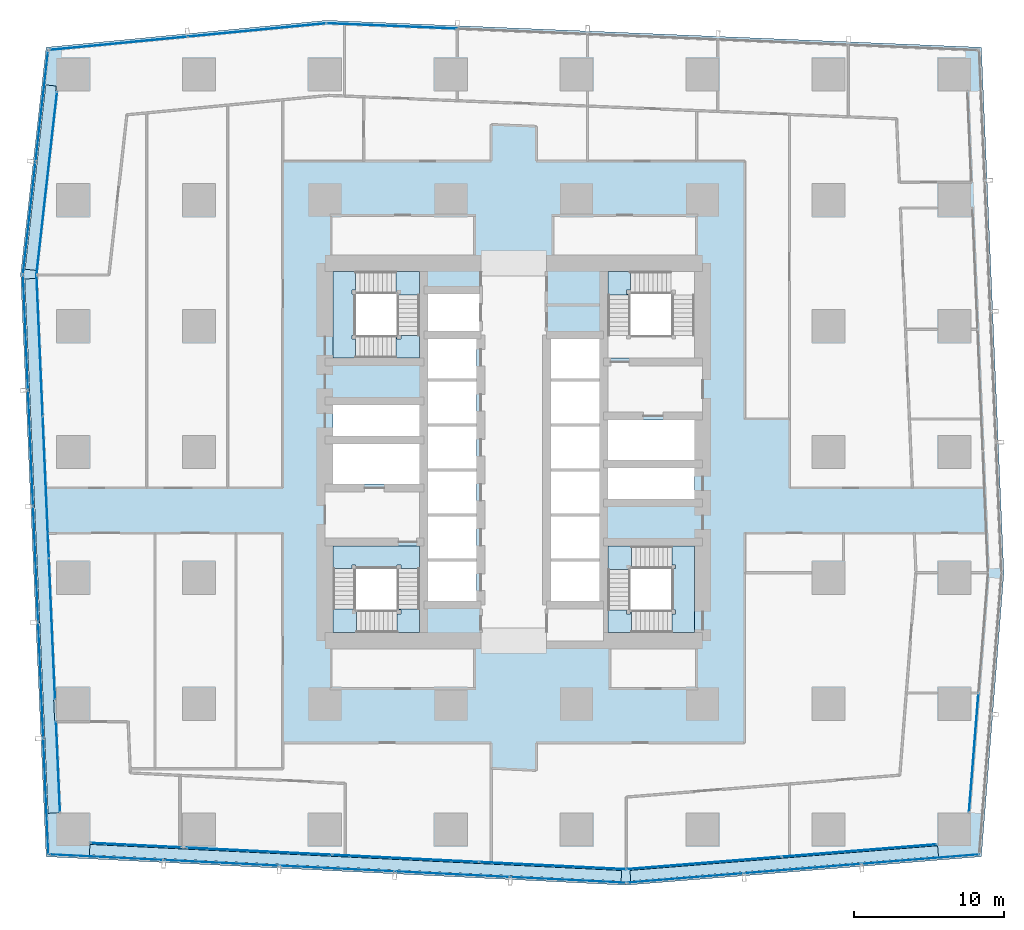
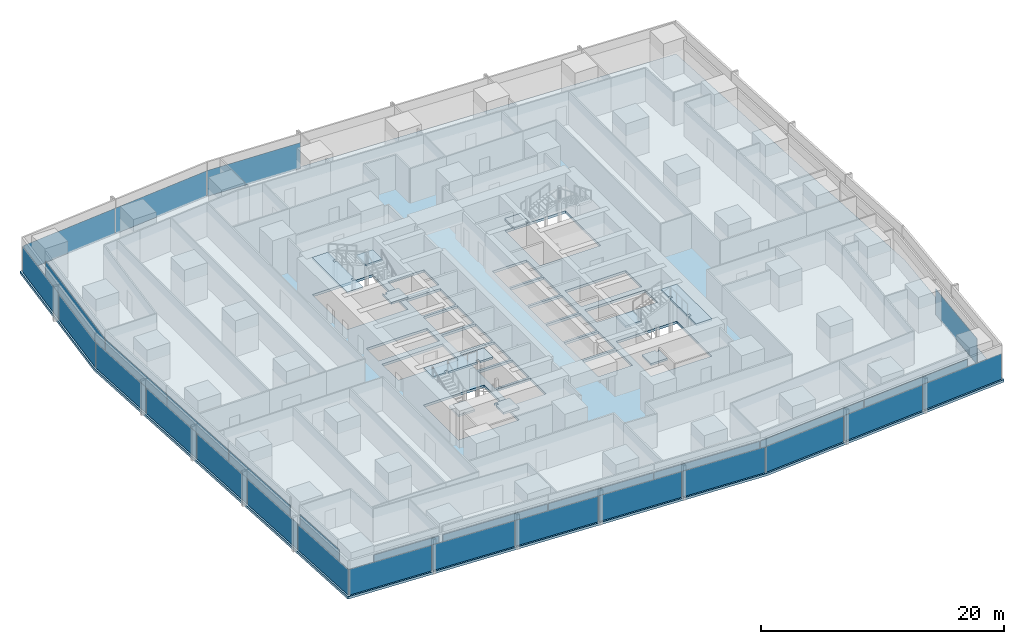
# One storey, part 30 of 44: 34 plates, 11 slabs, 17 elements without a shape of their own.
"""IFC4 building model written with IfcOpenShell, lengths in metres."""

import ifcopenshell
import ifcopenshell.guid

model = None  # the IFC model being written
_history = None  # IfcOwnerHistory: only IFC2X3 demands one
_inside = {}  # id of a spatial element -> (the spatial element, [elements in it])
_under = {}  # id of a project, library or spatial element -> (it, [spatial elements below it])
_declared = {}  # id of a project -> (the project, [libraries it declares])
_typed = {}  # id of a type object -> (the type object, [elements of that type])
_made_of = {}  # id of a material, layer set ... -> (it, [elements and type objects made of it])


def new_model(schema):
    """Start an empty IFC model of exactly this schema.

    Asked for "IFC4X3", IfcOpenShell would pick the latest addendum, in which some entities
    have other attributes; the version numbers below select the first issue.
    IFC2X3 requires an IfcOwnerHistory on every rooted entity: one is made here for all.
    """
    global model, _history
    if schema == "IFC4X3":
        model = ifcopenshell.file(schema_version=(4, 3, 0, 0))
    else:
        model = ifcopenshell.file(schema=schema)
    _inside.clear()
    _under.clear()
    _declared.clear()
    _typed.clear()
    _made_of.clear()
    _history = None
    if model.schema == "IFC2X3":
        org = make("IfcOrganization", Name="unknown")
        user = make(
            "IfcPersonAndOrganization",
            ThePerson=make("IfcPerson", FamilyName="unknown"),
            TheOrganization=org,
        )
        app = make(
            "IfcApplication",
            ApplicationDeveloper=org,
            Version="unknown",
            ApplicationFullName="unknown",
            ApplicationIdentifier="unknown",
        )
        _history = make(
            "IfcOwnerHistory",
            OwningUser=user,
            OwningApplication=app,
            ChangeAction="ADDED",
            CreationDate=0,
        )
    return model


def make(cls, **values):
    """One entity of the class cls with the attributes given. An attribute that is None is left unset."""
    return model.create_entity(
        cls, **{name: value for name, value in values.items() if value is not None}
    )


def rooted(cls, **values):
    """An entity with a GlobalId (a new one), such as an element, a storey or a relation."""
    return make(cls, GlobalId=ifcopenshell.guid.new(), OwnerHistory=_history, **values)


def si_unit(unit_type, name, prefix=None):
    """IfcSIUnit, for example si_unit("LENGTHUNIT", "METRE", prefix="MILLI")."""
    return make("IfcSIUnit", UnitType=unit_type, Prefix=prefix, Name=name)


def assignment(units):
    """IfcUnitAssignment: the units of a project."""
    return None if units is None else make("IfcUnitAssignment", Units=units)


def point(xyz):
    """IfcCartesianPoint."""
    return None if xyz is None else make("IfcCartesianPoint", Coordinates=xyz)


def direction(xyz):
    """IfcDirection."""
    return None if xyz is None else make("IfcDirection", DirectionRatios=xyz)


def frame(location, z_axis=None, x_axis=None):
    """IfcAxis2Placement3D, a coordinate frame: its origin and axes. An axis left out is left unset."""
    return make(
        "IfcAxis2Placement3D",
        Location=point(location),
        Axis=direction(z_axis),
        RefDirection=direction(x_axis),
    )


def frame_2d(location, x_axis=None):
    """IfcAxis2Placement2D, a coordinate frame in the plane: its origin and x axis."""
    return make(
        "IfcAxis2Placement2D", Location=point(location), RefDirection=direction(x_axis)
    )


def origin():
    """The frame at (0, 0, 0) with its axes left unset."""
    return frame((0.0, 0.0, 0.0))


def origin_2d():
    """The frame at (0, 0) in the plane with its x axis left unset."""
    return frame_2d((0.0, 0.0))


def place(relative_to, where):
    """IfcLocalPlacement: puts the frame where relative to a parent placement (None: the world)."""
    return make(
        "IfcLocalPlacement", PlacementRelTo=relative_to, RelativePlacement=where
    )


def context(
    kind, dimensions, precision=None, world=None, true_north=None, identifier=None
):
    """IfcGeometricRepresentationContext, for example the 3D "Model" context."""
    return make(
        "IfcGeometricRepresentationContext",
        ContextIdentifier=identifier,
        ContextType=kind,
        CoordinateSpaceDimension=dimensions,
        Precision=precision,
        WorldCoordinateSystem=world,
        TrueNorth=true_north,
    )


def subcontext(parent, identifier, kind, view, scale=None):
    """IfcGeometricRepresentationSubContext, for example "Body" below "Model"."""
    return make(
        "IfcGeometricRepresentationSubContext",
        ContextIdentifier=identifier,
        ContextType=kind,
        ParentContext=parent,
        TargetScale=scale,
        TargetView=view,
    )


def project(units=None, contexts=None):
    """IfcProject with its units and contexts."""
    return rooted(
        "IfcProject",
        Name="project",
        RepresentationContexts=contexts,
        UnitsInContext=assignment(units),
    )


def spatial(cls, under=None, at=None, **own):
    """A site, building, storey or space (cls), placed at a placement, below another one or the project."""
    s = rooted(cls, ObjectPlacement=at, **own)
    if under is not None:
        _under.setdefault(under.id(), (under, []))[1].append(s)
    return s


def polyline(points):
    """IfcPolyline through the points."""
    return make("IfcPolyline", Points=[point(p) for p in points])


def profile(cls, at=None, kind="AREA", **sizes):
    """A parametric profile (cls). Its sizes go by their IFC names, for example OverallWidth=200.0."""
    return make(cls, ProfileType=kind, Position=at, **sizes)


def rectangle(**sizes):
    """IfcRectangleProfileDef."""
    return profile("IfcRectangleProfileDef", **sizes)


def outline(outer, holes=None, kind="AREA"):
    """IfcArbitraryClosedProfileDef: a profile drawn as a closed curve; with holes, ...WithVoids."""
    if holes is None:
        return make("IfcArbitraryClosedProfileDef", ProfileType=kind, OuterCurve=outer)
    return make(
        "IfcArbitraryProfileDefWithVoids",
        ProfileType=kind,
        OuterCurve=outer,
        InnerCurves=holes,
    )


def extrude(swept, where, along, depth):
    """IfcExtrudedAreaSolid: the profile swept, set in the frame where, extruded along a direction by depth."""
    return make(
        "IfcExtrudedAreaSolid",
        SweptArea=swept,
        Position=where,
        ExtrudedDirection=direction(along),
        Depth=depth,
    )


def shape(context_of_items, identifier, shape_type, items):
    """IfcShapeRepresentation: the items that make up one representation, for example the "Body"."""
    return make(
        "IfcShapeRepresentation",
        ContextOfItems=context_of_items,
        RepresentationIdentifier=identifier,
        RepresentationType=shape_type,
        Items=items,
    )


def material(Name=None, Category=None):
    """IfcMaterial."""
    return make("IfcMaterial", Name=Name, Category=Category)


def layer(
    of_material, thickness, ventilated=None, Name=None, Category=None, Priority=None
):
    """IfcMaterialLayer: one layer of a wall or slab, of a material (None: an air gap)."""
    return make(
        "IfcMaterialLayer",
        Material=of_material,
        LayerThickness=thickness,
        IsVentilated=ventilated,
        Name=Name,
        Category=Category,
        Priority=Priority,
    )


def layer_set(layers, Name=None):
    """IfcMaterialLayerSet."""
    return make("IfcMaterialLayerSet", MaterialLayers=layers, LayerSetName=Name)


def made_of(thing, what):
    """Note that an element or type object is made of a material, layer set ...; save() writes the relation."""
    if what is not None:
        _made_of.setdefault(what.id(), (what, []))[1].append(thing)
    return thing


def type_object(cls, material=None, **own):
    """A type object (cls), such as IfcWallType, which elements share."""
    return made_of(rooted(cls, **own), material)


def element(
    cls,
    number,
    at=None,
    inside=None,
    cuts=None,
    type_object=None,
    material=None,
    context=None,
    identifier="Body",
    shape_type=None,
    held_by="IfcProductDefinitionShape",
    body=None,
    shapes=None,
    **own,
):
    """One element of the class cls, such as IfcWall. Its Tag is "e" and its number.

    at: its placement. inside: the storey or other place that contains it. cuts: it is an
    opening in that element (IfcRelVoidsElement). A single representation is given by context,
    identifier, shape_type and body (its items); several are given by shapes. held_by: the class
    of the entity that holds the representations. save() writes the other relations.
    """
    e = rooted(cls, Tag="e%d" % number, ObjectPlacement=at, **own)
    if body is not None:
        shapes = [shape(context, identifier, shape_type, body)]
    if shapes is not None:
        e.Representation = make(held_by, Representations=shapes)
    if inside is not None:
        _inside.setdefault(inside.id(), (inside, []))[1].append(e)
    if cuts is not None:
        rooted(
            "IfcRelVoidsElement", RelatingBuildingElement=cuts, RelatedOpeningElement=e
        )
    if type_object is not None:
        _typed.setdefault(type_object.id(), (type_object, []))[1].append(e)
    return made_of(e, material)


def aggregate(whole, parts):
    """IfcRelAggregates: a whole, such as a stair, and the parts it consists of."""
    return rooted("IfcRelAggregates", RelatingObject=whole, RelatedObjects=parts)


def save(model, path):
    """Write the relations noted so far, then the file.

    IfcRelAggregates (storeys below a building ...), IfcRelContainedInSpatialStructure (elements
    in a storey), IfcRelDefinesByType, IfcRelAssociatesMaterial and IfcRelDeclares: one each for
    every whole, place, type object, material and project.
    """
    for whole, parts in _under.values():
        aggregate(whole, parts)
    for where, things in _inside.values():
        rooted(
            "IfcRelContainedInSpatialStructure",
            RelatedElements=things,
            RelatingStructure=where,
        )
    for kind, things in _typed.values():
        rooted("IfcRelDefinesByType", RelatedObjects=things, RelatingType=kind)
    for what, things in _made_of.values():
        rooted("IfcRelAssociatesMaterial", RelatedObjects=things, RelatingMaterial=what)
    for by, libraries in _declared.values():
        rooted("IfcRelDeclares", RelatingContext=by, RelatedDefinitions=libraries)
    model.write(path)


model = new_model("IFC4")

# Units and contexts
model_context = context("Model", 3, precision=1e-05, world=origin(), true_north=direction((0.0, 1.0)))
body_context = subcontext(model_context, "Body", "Model", "MODEL_VIEW")
ifc_project = project(units=[si_unit("LENGTHUNIT", "METRE"), si_unit("AREAUNIT", "SQUARE_METRE"), si_unit("VOLUMEUNIT", "CUBIC_METRE"), si_unit("PLANEANGLEUNIT", "RADIAN"), si_unit("MASSUNIT", "GRAM", prefix="KILO")], contexts=[model_context])

# Site, building, storey
site_placement = place(None, origin())
site = spatial("IfcSite", under=ifc_project, at=site_placement, CompositionType="ELEMENT")
building_placement = place(site_placement, origin())
building = spatial("IfcBuilding", under=site, at=building_placement, Name="Rekha Terrace Tower", CompositionType="ELEMENT")
storey_placement = place(building_placement, frame((0.0, 0.0, 51.64990234375)))
storey = spatial("IfcBuildingStorey", under=building, at=storey_placement, Name="L12", CompositionType="ELEMENT", Elevation=51.64990234375)

# Curtain wall, plate
ifc_material_1 = material(Name="Aluminium framing", Category="aluminium")
curtain_wall_type_1 = type_object("IfcCurtainWallType", Name="CW1 double skin inner glazing", PredefinedType="USERDEFINED", material=ifc_material_1)
curtain_wall_1_placement = place(storey_placement, origin())
curtain_wall_1 = element("IfcCurtainWall", 1, at=curtain_wall_1_placement, inside=storey, type_object=curtain_wall_type_1, Name="CW1 double skin inner glazing", ObjectType="DOUBLE SKIN INNER GLAZING", PredefinedType="USERDEFINED")
ifc_material_2 = material(Name="Double-glazed low-e unit 32", Category="glass")
ifc_layer_1 = layer(ifc_material_2, 0.031982421875)
ifc_layer_set_1 = layer_set([ifc_layer_1], Name="Double-glazed low-e unit 32")
plate_type_1 = type_object("IfcPlateType", Name="CW1 jumbo vision panel, double-glazed low-e unit 32", PredefinedType="CURTAIN_PANEL", material=ifc_layer_set_1)
plate_1_placement = place(storey_placement, frame((12.60009765625, 7.36669921875, 0.0), z_axis=(0.0, 0.0, 1.0), x_axis=(0.998796239977, -0.049051717693, 0.0)))
plate_1 = element("IfcPlate", 2, at=plate_1_placement, type_object=plate_type_1, Name="CW1 panel 1.1", PredefinedType="CURTAIN_PANEL", context=body_context, shape_type="SweptSolid", body=[
    extrude(rectangle(XDim=6.028076171875, YDim=0.031982421875, at=origin_2d()), origin(), (0.0, 0.0, 1.0), 2.60009765625),
])
aggregate(curtain_wall_1, [plate_1])

# Curtain wall, plates
curtain_wall_2_placement = place(storey_placement, origin())
curtain_wall_2 = element("IfcCurtainWall", 3, at=curtain_wall_2_placement, inside=storey, type_object=curtain_wall_type_1, Name="CW1 double skin inner glazing", ObjectType="DOUBLE SKIN INNER GLAZING", PredefinedType="USERDEFINED")
plate_2_placement = place(storey_placement, frame((20.818603515625, 6.962890625, 0.0), z_axis=(0.0, 0.0, 1.0), x_axis=(0.998796239974, -0.049051717746, 0.0)))
plate_2 = element("IfcPlate", 4, at=plate_2_placement, type_object=plate_type_1, Name="CW1 panel 1.1", PredefinedType="CURTAIN_PANEL", context=body_context, shape_type="SweptSolid", body=[
    extrude(rectangle(XDim=9.701904296875, YDim=0.031982421875, at=origin_2d()), origin(), (0.0, 0.0, 1.0), 2.60009765625),
])
plate_3_placement = place(storey_placement, frame((30.590087890625, 6.483154296875, 0.0), z_axis=(0.0, 0.0, 1.0), x_axis=(0.998796239974, -0.049051717746, 0.0)))
plate_3 = element("IfcPlate", 5, at=plate_3_placement, type_object=plate_type_1, Name="CW1 panel 2.1", PredefinedType="CURTAIN_PANEL", context=body_context, shape_type="SweptSolid", body=[
    extrude(rectangle(XDim=9.734619140625, YDim=0.031982421875, at=origin_2d()), origin(), (0.0, 0.0, 1.0), 2.60009765625),
])
plate_4_placement = place(storey_placement, frame((40.39404296875, 6.001708984375, 0.0), z_axis=(0.0, 0.0, 1.0), x_axis=(0.998796239974, -0.049051717746, 0.0)))
plate_4 = element("IfcPlate", 6, at=plate_4_placement, type_object=plate_type_1, Name="CW1 panel 3.1", PredefinedType="CURTAIN_PANEL", context=body_context, shape_type="SweptSolid", body=[
    extrude(rectangle(XDim=9.76708984375, YDim=0.031982421875, at=origin_2d()), origin(), (0.0, 0.0, 1.0), 2.60009765625),
])
aggregate(curtain_wall_2, [plate_2, plate_3, plate_4])

curtain_wall_3_placement = place(storey_placement, origin())
curtain_wall_3 = element("IfcCurtainWall", 7, at=curtain_wall_3_placement, inside=storey, type_object=curtain_wall_type_1, Name="CW1 double skin inner glazing", ObjectType="DOUBLE SKIN INNER GLAZING", PredefinedType="USERDEFINED")
plate_5_placement = place(storey_placement, frame((50.488037109375, 6.18017578125, 0.0), z_axis=(0.0, 0.0, 1.0), x_axis=(0.996805111821, 0.079872204468, 0.0)))
plate_5 = element("IfcPlate", 8, at=plate_5_placement, type_object=plate_type_1, Name="CW1 panel 1.1", PredefinedType="CURTAIN_PANEL", context=body_context, shape_type="SweptSolid", body=[
    extrude(rectangle(XDim=10.336181640625, YDim=0.031982421875, at=origin_2d()), origin(), (0.0, 0.0, 1.0), 2.60009765625),
])
plate_6_placement = place(storey_placement, frame((60.85595703125, 7.0107421875, 0.0), z_axis=(0.0, 0.0, 1.0), x_axis=(0.996805111821, 0.079872204468, 0.0)))
plate_6 = element("IfcPlate", 9, at=plate_6_placement, type_object=plate_type_1, Name="CW1 panel 2.1", PredefinedType="CURTAIN_PANEL", context=body_context, shape_type="SweptSolid", body=[
    extrude(rectangle(XDim=10.336181640625, YDim=0.031982421875, at=origin_2d()), origin(), (0.0, 0.0, 1.0), 2.60009765625),
])
aggregate(curtain_wall_3, [plate_5, plate_6])

# Curtain wall, plate
curtain_wall_4_placement = place(storey_placement, origin())
curtain_wall_4 = element("IfcCurtainWall", 10, at=curtain_wall_4_placement, inside=storey, type_object=curtain_wall_type_1, Name="CW1 double skin inner glazing", ObjectType="DOUBLE SKIN INNER GLAZING", PredefinedType="USERDEFINED")
plate_7_placement = place(storey_placement, frame((68.487548828125, 13.541748046875, 0.0), z_axis=(0.0, 0.0, 1.0), x_axis=(0.079116301, 0.996865392576, 0.0)))
plate_7 = element("IfcPlate", 11, at=plate_7_placement, type_object=plate_type_1, Name="CW1 panel 1.1", PredefinedType="CURTAIN_PANEL", context=body_context, shape_type="SweptSolid", body=[
    extrude(rectangle(XDim=7.923583984375, YDim=0.031982421875, at=origin_2d()), origin(), (0.0, 0.0, 1.0), 2.60009765625),
])
aggregate(curtain_wall_4, [plate_7])

curtain_wall_5_placement = place(storey_placement, origin())
curtain_wall_5 = element("IfcCurtainWall", 12, at=curtain_wall_5_placement, inside=storey, type_object=curtain_wall_type_1, Name="CW1 double skin inner glazing", ObjectType="DOUBLE SKIN INNER GLAZING", PredefinedType="USERDEFINED")
plate_8_placement = place(storey_placement, frame((6.646728515625, 51.52734375, 0.0), z_axis=(0.0, 0.0, 1.0), x_axis=(-0.111729870748, -0.993738615524, 0.0)))
plate_8 = element("IfcPlate", 13, at=plate_8_placement, type_object=plate_type_1, Name="CW1 panel 1.1", PredefinedType="CURTAIN_PANEL", context=body_context, shape_type="SweptSolid", body=[
    extrude(rectangle(XDim=12.243896484375, YDim=0.031982421875, at=origin_2d()), origin(), (0.0, 0.0, 1.0), 2.60009765625),
])
aggregate(curtain_wall_5, [plate_8])

# Curtain wall, plates
curtain_wall_6_placement = place(storey_placement, origin())
curtain_wall_6 = element("IfcCurtainWall", 14, at=curtain_wall_6_placement, inside=storey, type_object=curtain_wall_type_1, Name="CW1 double skin inner glazing", ObjectType="DOUBLE SKIN INNER GLAZING", PredefinedType="USERDEFINED")
plate_9_placement = place(storey_placement, frame((6.170166015625, 40.69482421875, 0.0), z_axis=(0.0, 0.0, 1.0), x_axis=(0.043682543337, -0.999045462133, 0.0)))
plate_9 = element("IfcPlate", 15, at=plate_9_placement, type_object=plate_type_1, Name="CW1 panel 1.1", PredefinedType="CURTAIN_PANEL", context=body_context, shape_type="SweptSolid", body=[
    extrude(rectangle(XDim=9.376953125, YDim=0.031982421875, at=origin_2d()), origin(), (0.0, 0.0, 1.0), 2.60009765625),
])
plate_10_placement = place(storey_placement, frame((6.58349609375, 31.245361328125, 0.0), z_axis=(0.0, 0.0, 1.0), x_axis=(0.043682543337, -0.999045462133, 0.0)))
plate_10 = element("IfcPlate", 16, at=plate_10_placement, type_object=plate_type_1, Name="CW1 panel 2.1", PredefinedType="CURTAIN_PANEL", context=body_context, shape_type="SweptSolid", body=[
    extrude(rectangle(XDim=9.40966796875, YDim=0.031982421875, at=origin_2d()), origin(), (0.0, 0.0, 1.0), 2.60009765625),
])
plate_11_placement = place(storey_placement, frame((6.99658203125, 21.796142578125, 0.0), z_axis=(0.0, 0.0, 1.0), x_axis=(0.043682543337, -0.999045462133, 0.0)))
plate_11 = element("IfcPlate", 17, at=plate_11_placement, type_object=plate_type_1, Name="CW1 panel 3.1", PredefinedType="CURTAIN_PANEL", context=body_context, shape_type="SweptSolid", body=[
    extrude(rectangle(XDim=9.376953125, YDim=0.031982421875, at=origin_2d()), origin(), (0.0, 0.0, 1.0), 2.60009765625),
])
aggregate(curtain_wall_6, [plate_9, plate_10, plate_11])

# Curtain wall, plate
curtain_wall_7_placement = place(storey_placement, origin())
curtain_wall_7 = element("IfcCurtainWall", 18, at=curtain_wall_7_placement, inside=storey, type_object=curtain_wall_type_1, Name="CW1 double skin inner glazing", ObjectType="DOUBLE SKIN INNER GLAZING", PredefinedType="USERDEFINED")
plate_12_placement = place(storey_placement, frame((7.398681640625, 12.60009765625, 0.0), z_axis=(0.0, 0.0, 1.0), x_axis=(0.043682543424, -0.999045462129, 0.0)))
plate_12 = element("IfcPlate", 19, at=plate_12_placement, type_object=plate_type_1, Name="CW1 panel 1.1", PredefinedType="CURTAIN_PANEL", context=body_context, shape_type="SweptSolid", body=[
    extrude(rectangle(XDim=6.027587890625, YDim=0.031982421875, at=origin_2d()), origin(), (0.0, 0.0, 1.0), 2.60009765625),
])
aggregate(curtain_wall_7, [plate_12])

# Curtain wall, plates
curtain_wall_type_2 = type_object("IfcCurtainWallType", Name="CW2 double skin outer glazing", PredefinedType="USERDEFINED", material=ifc_material_1)
curtain_wall_8_placement = place(storey_placement, origin())
curtain_wall_8 = element("IfcCurtainWall", 20, at=curtain_wall_8_placement, inside=storey, type_object=curtain_wall_type_2, Name="CW2 double skin outer glazing", ObjectType="DOUBLE SKIN OUTER GLAZING", PredefinedType="USERDEFINED")
ifc_material_3 = material(Name="Toughened single glazing 12", Category="glass")
ifc_layer_2 = layer(ifc_material_3, 0.011962890625)
ifc_layer_set_2 = layer_set([ifc_layer_2], Name="Toughened single glazing 12")
plate_type_2 = type_object("IfcPlateType", Name="CW2 jumbo vision panel, toughened single glazing 12", PredefinedType="CURTAIN_PANEL", material=ifc_layer_set_2)
plate_13_placement = place(storey_placement, frame((10.626708984375, 6.5625, 0.0), z_axis=(0.0, 0.0, 1.0), x_axis=(0.998796239974, -0.049051717746, 0.0)))
plate_13 = element("IfcPlate", 21, at=plate_13_placement, type_object=plate_type_2, Name="CW2 panel 1.1", PredefinedType="CURTAIN_PANEL", context=body_context, shape_type="SweptSolid", body=[
    extrude(rectangle(XDim=7.595703125, YDim=0.011962890625, at=origin_2d()), origin(), (0.0, 0.0, 1.0), 2.60009765625),
])
plate_14_placement = place(storey_placement, frame((18.31298828125, 6.18505859375, 0.0), z_axis=(0.0, 0.0, 1.0), x_axis=(0.998796239974, -0.049051717746, 0.0)))
plate_14 = element("IfcPlate", 22, at=plate_14_placement, type_object=plate_type_2, Name="CW2 panel 2.1", PredefinedType="CURTAIN_PANEL", context=body_context, shape_type="SweptSolid", body=[
    extrude(rectangle(XDim=7.6357421875, YDim=0.011962890625, at=origin_2d()), origin(), (0.0, 0.0, 1.0), 2.60009765625),
])
plate_15_placement = place(storey_placement, frame((26.01953125, 5.806396484375, 0.0), z_axis=(0.0, 0.0, 1.0), x_axis=(0.998796239974, -0.049051717746, 0.0)))
plate_15 = element("IfcPlate", 23, at=plate_15_placement, type_object=plate_type_2, Name="CW2 panel 3.1", PredefinedType="CURTAIN_PANEL", context=body_context, shape_type="SweptSolid", body=[
    extrude(rectangle(XDim=7.6357421875, YDim=0.011962890625, at=origin_2d()), origin(), (0.0, 0.0, 1.0), 2.60009765625),
])
plate_16_placement = place(storey_placement, frame((33.725830078125, 5.427978515625, 0.0), z_axis=(0.0, 0.0, 1.0), x_axis=(0.998796239974, -0.049051717746, 0.0)))
plate_16 = element("IfcPlate", 24, at=plate_16_placement, type_object=plate_type_2, Name="CW2 panel 4.1", PredefinedType="CURTAIN_PANEL", context=body_context, shape_type="SweptSolid", body=[
    extrude(rectangle(XDim=7.6357421875, YDim=0.011962890625, at=origin_2d()), origin(), (0.0, 0.0, 1.0), 2.60009765625),
])
plate_17_placement = place(storey_placement, frame((41.452392578125, 5.048583984375, 0.0), z_axis=(0.0, 0.0, 1.0), x_axis=(0.998796239974, -0.049051717746, 0.0)))
plate_17 = element("IfcPlate", 25, at=plate_17_placement, type_object=plate_type_2, Name="CW2 panel 5.1", PredefinedType="CURTAIN_PANEL", context=body_context, shape_type="SweptSolid", body=[
    extrude(rectangle(XDim=7.67578125, YDim=0.011962890625, at=origin_2d()), origin(), (0.0, 0.0, 1.0), 2.60009765625),
])
aggregate(curtain_wall_8, [plate_13, plate_14, plate_15, plate_16, plate_17])

curtain_wall_9_placement = place(storey_placement, origin())
curtain_wall_9 = element("IfcCurtainWall", 26, at=curtain_wall_9_placement, inside=storey, type_object=curtain_wall_type_2, Name="CW2 double skin outer glazing", ObjectType="DOUBLE SKIN OUTER GLAZING", PredefinedType="USERDEFINED")
plate_18_placement = place(storey_placement, frame((49.233154296875, 5.176513671875, 0.0), z_axis=(0.0, 0.0, 1.0), x_axis=(0.996805111821, 0.079872204468, 0.0)))
plate_18 = element("IfcPlate", 27, at=plate_18_placement, type_object=plate_type_2, Name="CW2 panel 1.1", PredefinedType="CURTAIN_PANEL", context=body_context, shape_type="SweptSolid", body=[
    extrude(rectangle(XDim=7.760498046875, YDim=0.011962890625, at=origin_2d()), origin(), (0.0, 0.0, 1.0), 2.60009765625),
])
plate_19_placement = place(storey_placement, frame((57.068359375, 5.804443359375, 0.0), z_axis=(0.0, 0.0, 1.0), x_axis=(0.996805111821, 0.079872204468, 0.0)))
plate_19 = element("IfcPlate", 28, at=plate_19_placement, type_object=plate_type_2, Name="CW2 panel 2.1", PredefinedType="CURTAIN_PANEL", context=body_context, shape_type="SweptSolid", body=[
    extrude(rectangle(XDim=7.800537109375, YDim=0.011962890625, at=origin_2d()), origin(), (0.0, 0.0, 1.0), 2.60009765625),
])
plate_20_placement = place(storey_placement, frame((64.943603515625, 6.435546875, 0.0), z_axis=(0.0, 0.0, 1.0), x_axis=(0.996805111821, 0.079872204468, 0.0)))
plate_20 = element("IfcPlate", 29, at=plate_20_placement, type_object=plate_type_2, Name="CW2 panel 3.1", PredefinedType="CURTAIN_PANEL", context=body_context, shape_type="SweptSolid", body=[
    extrude(rectangle(XDim=7.84033203125, YDim=0.011962890625, at=origin_2d()), origin(), (0.0, 0.0, 1.0), 2.60009765625),
])
aggregate(curtain_wall_9, [plate_18, plate_19, plate_20])

curtain_wall_10_placement = place(storey_placement, origin())
curtain_wall_10 = element("IfcCurtainWall", 30, at=curtain_wall_10_placement, inside=storey, type_object=curtain_wall_type_2, Name="CW2 double skin outer glazing", ObjectType="DOUBLE SKIN OUTER GLAZING", PredefinedType="USERDEFINED")
plate_21_placement = place(storey_placement, frame((6.3212890625, 56.688720703125, 0.0), z_axis=(0.0, 0.0, 1.0), x_axis=(-0.111729870782, -0.99373861552, 0.0)))
plate_21 = element("IfcPlate", 31, at=plate_21_placement, type_object=plate_type_2, Name="CW2 panel 1.1", PredefinedType="CURTAIN_PANEL", context=body_context, shape_type="SweptSolid", body=[
    extrude(rectangle(XDim=7.41650390625, YDim=0.011962890625, at=origin_2d()), origin(), (0.0, 0.0, 1.0), 2.60009765625),
])
plate_22_placement = place(storey_placement, frame((5.479248046875, 49.19921875, 0.0), z_axis=(0.0, 0.0, 1.0), x_axis=(-0.111729870782, -0.99373861552, 0.0)))
plate_22 = element("IfcPlate", 32, at=plate_22_placement, type_object=plate_type_2, Name="CW2 panel 2.1", PredefinedType="CURTAIN_PANEL", context=body_context, shape_type="SweptSolid", body=[
    extrude(rectangle(XDim=7.49658203125, YDim=0.011962890625, at=origin_2d()), origin(), (0.0, 0.0, 1.0), 2.60009765625),
])
aggregate(curtain_wall_10, [plate_21, plate_22])

curtain_wall_11_placement = place(storey_placement, origin())
curtain_wall_11 = element("IfcCurtainWall", 33, at=curtain_wall_11_placement, inside=storey, type_object=curtain_wall_type_2, Name="CW2 double skin outer glazing", ObjectType="DOUBLE SKIN OUTER GLAZING", PredefinedType="USERDEFINED")
plate_23_placement = place(storey_placement, frame((5.23046875, 41.582275390625, 0.0), z_axis=(0.0, 0.0, 1.0), x_axis=(0.043682543372, -0.999045462131, 0.0)))
plate_23 = element("IfcPlate", 34, at=plate_23_placement, type_object=plate_type_2, Name="CW2 panel 1.1", PredefinedType="CURTAIN_PANEL", context=body_context, shape_type="SweptSolid", body=[
    extrude(rectangle(XDim=7.6318359375, YDim=0.011962890625, at=origin_2d()), origin(), (0.0, 0.0, 1.0), 2.60009765625),
])
plate_24_placement = place(storey_placement, frame((5.568359375, 33.85791015625, 0.0), z_axis=(0.0, 0.0, 1.0), x_axis=(0.043682543372, -0.999045462131, 0.0)))
plate_24 = element("IfcPlate", 35, at=plate_24_placement, type_object=plate_type_2, Name="CW2 panel 2.1", PredefinedType="CURTAIN_PANEL", context=body_context, shape_type="SweptSolid", body=[
    extrude(rectangle(XDim=7.671875, YDim=0.011962890625, at=origin_2d()), origin(), (0.0, 0.0, 1.0), 2.60009765625),
])
plate_25_placement = place(storey_placement, frame((5.906982421875, 26.113525390625, 0.0), z_axis=(0.0, 0.0, 1.0), x_axis=(0.043682543372, -0.999045462131, 0.0)))
plate_25 = element("IfcPlate", 36, at=plate_25_placement, type_object=plate_type_2, Name="CW2 panel 3.1", PredefinedType="CURTAIN_PANEL", context=body_context, shape_type="SweptSolid", body=[
    extrude(rectangle(XDim=7.671875, YDim=0.011962890625, at=origin_2d()), origin(), (0.0, 0.0, 1.0), 2.60009765625),
])
plate_26_placement = place(storey_placement, frame((6.24560546875, 18.369140625, 0.0), z_axis=(0.0, 0.0, 1.0), x_axis=(0.043682543372, -0.999045462131, 0.0)))
plate_26 = element("IfcPlate", 37, at=plate_26_placement, type_object=plate_type_2, Name="CW2 panel 4.1", PredefinedType="CURTAIN_PANEL", context=body_context, shape_type="SweptSolid", body=[
    extrude(rectangle(XDim=7.671875, YDim=0.011962890625, at=origin_2d()), origin(), (0.0, 0.0, 1.0), 2.60009765625),
])
plate_27_placement = place(storey_placement, frame((6.5849609375, 10.60498046875, 0.0), z_axis=(0.0, 0.0, 1.0), x_axis=(0.043682543372, -0.999045462131, 0.0)))
plate_27 = element("IfcPlate", 38, at=plate_27_placement, type_object=plate_type_2, Name="CW2 panel 5.1", PredefinedType="CURTAIN_PANEL", context=body_context, shape_type="SweptSolid", body=[
    extrude(rectangle(XDim=7.711669921875, YDim=0.011962890625, at=origin_2d()), origin(), (0.0, 0.0, 1.0), 2.60009765625),
])
aggregate(curtain_wall_11, [plate_23, plate_24, plate_25, plate_26, plate_27])

# Curtain wall, plate
curtain_wall_type_3 = type_object("IfcCurtainWallType", Name="CW3 north unitised glazing", PredefinedType="USERDEFINED", material=ifc_material_1)
curtain_wall_12_placement = place(storey_placement, origin())
curtain_wall_12 = element("IfcCurtainWall", 39, at=curtain_wall_12_placement, inside=storey, type_object=curtain_wall_type_3, Name="CW3 unitised curtain wall", ObjectType="UNITISED CURTAIN WALL", PredefinedType="USERDEFINED")
ifc_material_4 = material(Name="Double-glazed unit 28", Category="glass")
ifc_layer_3 = layer(ifc_material_4, 0.028076171875)
ifc_layer_set_3 = layer_set([ifc_layer_3], Name="Double-glazed unit 28")
plate_type_3 = type_object("IfcPlateType", Name="CW3 jumbo vision panel, double-glazed unit 28", PredefinedType="CURTAIN_PANEL", material=ifc_layer_set_3)
plate_28_placement = place(storey_placement, frame((29.65625, 62.021240234375, 0.0), z_axis=(0.0, 0.0, 1.0), x_axis=(-0.999151997647, 0.041173846041, 0.0)))
plate_28 = element("IfcPlate", 40, at=plate_28_placement, type_object=plate_type_3, Name="CW3 panel 5.1", PredefinedType="CURTAIN_PANEL", context=body_context, shape_type="SweptSolid", body=[
    extrude(rectangle(XDim=8.6689453125, YDim=0.028076171875, at=origin_2d()), origin(), (0.0, 0.0, 1.0), 2.60009765625),
])
aggregate(curtain_wall_12, [plate_28])

# Curtain wall, plates
curtain_wall_13_placement = place(storey_placement, origin())
curtain_wall_13 = element("IfcCurtainWall", 41, at=curtain_wall_13_placement, inside=storey, type_object=curtain_wall_type_3, Name="CW3 unitised curtain wall", ObjectType="UNITISED CURTAIN WALL", PredefinedType="USERDEFINED")
plate_29_placement = place(storey_placement, frame((20.671875, 61.752197265625, 0.0), z_axis=(0.0, 0.0, 1.0), x_axis=(-0.995409029102, -0.095712406625, 0.0)))
plate_29 = element("IfcPlate", 42, at=plate_29_placement, type_object=plate_type_3, Name="CW3 panel 1.1", PredefinedType="CURTAIN_PANEL", context=body_context, shape_type="SweptSolid", body=[
    extrude(rectangle(XDim=9.210205078125, YDim=0.028076171875, at=origin_2d()), origin(), (0.0, 0.0, 1.0), 2.60009765625),
])
plate_30_placement = place(storey_placement, frame((11.434326171875, 60.864013671875, 0.0), z_axis=(0.0, 0.0, 1.0), x_axis=(-0.995409029102, -0.095712406625, 0.0)))
plate_30 = element("IfcPlate", 43, at=plate_30_placement, type_object=plate_type_3, Name="CW3 panel 2.1", PredefinedType="CURTAIN_PANEL", context=body_context, shape_type="SweptSolid", body=[
    extrude(rectangle(XDim=9.210205078125, YDim=0.028076171875, at=origin_2d()), origin(), (0.0, 0.0, 1.0), 2.60009765625),
])
aggregate(curtain_wall_13, [plate_29, plate_30])

# Plates
ifc_material_5 = material(Name="Galvanised steel open grating", Category="steel")
ifc_layer_4 = layer(ifc_material_5, 0.050048828125)
ifc_layer_set_4 = layer_set([ifc_layer_4], Name="Galvanised steel open grating")
plate_type_4 = type_object("IfcPlateType", Name="GT1 cavity walkway grating 50", PredefinedType="USERDEFINED", material=ifc_layer_set_4)
plate_31_placement = place(storey_placement, frame((27.24365234375, 6.197021484375, 0.0), z_axis=(0.0, 0.0, 1.0), x_axis=(0.998796239974, -0.049051717746, 0.0)))
element("IfcPlate", 44, at=plate_31_placement, inside=storey, type_object=plate_type_4, Name="Cavity walkway grating", ObjectType="CAVITY WALKWAY GRATING", PredefinedType="USERDEFINED", context=body_context, shape_type="SweptSolid", body=[
    extrude(rectangle(XDim=35.512939453125, YDim=0.705078125, at=origin_2d()), origin(), (0.0, 0.0, 1.0), 0.050048828125),
])
plate_32_placement = place(storey_placement, frame((55.841552734375, 6.15771484375, 0.0), z_axis=(0.0, 0.0, 1.0), x_axis=(0.996805111821, 0.079872204468, 0.0)))
element("IfcPlate", 45, at=plate_32_placement, inside=storey, type_object=plate_type_4, Name="Cavity walkway grating", ObjectType="CAVITY WALKWAY GRATING", PredefinedType="USERDEFINED", context=body_context, shape_type="SweptSolid", body=[
    extrude(rectangle(XDim=20.59375, YDim=0.705078125, at=origin_2d()), origin(), (0.0, 0.0, 1.0), 0.050048828125),
])
plate_33_placement = place(storey_placement, frame((6.236328125, 51.90576171875, 0.0), z_axis=(0.0, 0.0, 1.0), x_axis=(-0.1117298708, -0.993738615518, 0.0)))
element("IfcPlate", 46, at=plate_33_placement, inside=storey, type_object=plate_type_4, Name="Cavity walkway grating", ObjectType="CAVITY WALKWAY GRATING", PredefinedType="USERDEFINED", context=body_context, shape_type="SweptSolid", body=[
    extrude(rectangle(XDim=12.374267578125, YDim=0.705078125, at=origin_2d()), origin(), (0.0, 0.0, 1.0), 0.050048828125),
])
plate_34_placement = place(storey_placement, frame((6.303955078125, 27.3349609375, 0.0), z_axis=(0.0, 0.0, 1.0), x_axis=(0.043682543355, -0.999045462132, 0.0)))
element("IfcPlate", 47, at=plate_34_placement, inside=storey, type_object=plate_type_4, Name="Cavity walkway grating", ObjectType="CAVITY WALKWAY GRATING", PredefinedType="USERDEFINED", context=body_context, shape_type="SweptSolid", body=[
    extrude(rectangle(XDim=35.682861328125, YDim=0.705078125, at=origin_2d()), origin(), (0.0, 0.0, 1.0), 0.050048828125),
])

# Stair, slabs
ifc_material_6 = material(Name="Concrete M40", Category="concrete")
stair_type = type_object("IfcStairType", Name="ST30 stair, 30 risers of 125, going 300, 1500 wide flights, 3 flights", PredefinedType="HALF_TURN_STAIR", material=ifc_material_6)
stair_1_placement = place(storey_placement, origin())
stair_1 = element("IfcStair", 48, at=stair_1_placement, inside=storey, type_object=stair_type, Name="Stair ST1 L12 to L13", PredefinedType="HALF_TURN_STAIR")
ifc_layer_5 = layer(ifc_material_6, 0.199951171875)
ifc_layer_set_5 = layer_set([ifc_layer_5], Name="Concrete M40")
slab_type_1 = type_object("IfcSlabType", Name="LD1 200 concrete stair landing", PredefinedType="LANDING", material=ifc_layer_set_5)
slab_1_placement = place(storey_placement, frame((0.0, 0.0, 1.050048828125)))
slab_1 = element("IfcSlab", 49, at=slab_1_placement, type_object=slab_type_1, Name="ST1 landing 1", PredefinedType="LANDING", context=body_context, shape_type="SweptSolid", body=[
    extrude(outline(polyline([(30.02490234375, 21.550048828125), (31.52490234375, 21.550048828125), (31.52490234375, 23.125), (30.02490234375, 23.125), (30.02490234375, 23.050048828125), (30.27490234375, 23.050048828125), (30.27490234375, 22.800048828125), (30.02490234375, 22.800048828125), (30.02490234375, 21.550048828125)])), origin(), (0.0, 0.0, 1.0), 0.199951171875),
])
slab_2_placement = place(storey_placement, frame((0.0, 0.0, 2.300048828125)))
slab_2 = element("IfcSlab", 50, at=slab_2_placement, type_object=slab_type_1, Name="ST1 landing 2", PredefinedType="LANDING", context=body_context, shape_type="SweptSolid", body=[
    extrude(outline(polyline([(27.25, 23.125), (25.75, 23.125), (25.75, 21.550048828125), (27.324951171875, 21.550048828125), (27.324951171875, 23.050048828125), (27.25, 23.050048828125), (27.25, 23.125)])), origin(), (0.0, 0.0, 1.0), 0.199951171875),
])
slab_3_placement = place(storey_placement, frame((0.0, 0.0, 3.550048828125)))
slab_3 = element("IfcSlab", 51, at=slab_3_placement, type_object=slab_type_1, Name="ST1 landing 3", PredefinedType="LANDING", context=body_context, shape_type="SweptSolid", body=[
    extrude(outline(polyline([(31.52490234375, 25.824951171875), (31.52490234375, 27.324951171875), (25.75, 27.324951171875), (25.75, 25.824951171875), (27.0, 25.824951171875), (27.0, 26.074951171875), (27.25, 26.074951171875), (27.25, 25.824951171875), (30.02490234375, 25.824951171875), (30.02490234375, 26.074951171875), (30.27490234375, 26.074951171875), (30.27490234375, 25.824951171875), (31.52490234375, 25.824951171875)])), origin(), (0.0, 0.0, 1.0), 0.199951171875),
])
aggregate(stair_1, [slab_1, slab_2, slab_3])

# Stair, slab
stair_2_placement = place(storey_placement, origin())
stair_2 = element("IfcStair", 52, at=stair_2_placement, inside=storey, type_object=stair_type, Name="Stair ST2 L12 to L13", PredefinedType="HALF_TURN_STAIR")
slab_4_placement = place(storey_placement, frame((0.0, 0.0, 1.050048828125)))
slab_4 = element("IfcSlab", 53, at=slab_4_placement, type_object=slab_type_1, Name="ST2 landing 1", PredefinedType="LANDING", context=body_context, shape_type="SweptSolid", body=[
    extrude(outline(polyline([(45.574951171875, 45.64990234375), (44.074951171875, 45.64990234375), (44.074951171875, 44.074951171875), (45.574951171875, 44.074951171875), (45.574951171875, 44.14990234375), (45.324951171875, 44.14990234375), (45.324951171875, 44.39990234375), (45.574951171875, 44.39990234375), (45.574951171875, 45.64990234375)])), origin(), (0.0, 0.0, 1.0), 0.199951171875),
])
aggregate(stair_2, [slab_4])

# Stair, slabs
stair_3_placement = place(storey_placement, origin())
stair_3 = element("IfcStair", 54, at=stair_3_placement, inside=storey, type_object=stair_type, Name="Stair ST3 L12 to L13", PredefinedType="HALF_TURN_STAIR")
slab_5_placement = place(storey_placement, frame((0.0, 0.0, 1.050048828125)))
slab_5 = element("IfcSlab", 55, at=slab_5_placement, type_object=slab_type_1, Name="ST3 landing 1", PredefinedType="LANDING", context=body_context, shape_type="SweptSolid", body=[
    extrude(outline(polyline([(44.074951171875, 23.050048828125), (44.074951171875, 21.550048828125), (45.64990234375, 21.550048828125), (45.64990234375, 23.050048828125), (45.574951171875, 23.050048828125), (45.574951171875, 22.800048828125), (45.324951171875, 22.800048828125), (45.324951171875, 23.050048828125), (44.074951171875, 23.050048828125)])), origin(), (0.0, 0.0, 1.0), 0.199951171875),
])
slab_6_placement = place(storey_placement, frame((0.0, 0.0, 2.300048828125)))
slab_6 = element("IfcSlab", 56, at=slab_6_placement, type_object=slab_type_1, Name="ST3 landing 2", PredefinedType="LANDING", context=body_context, shape_type="SweptSolid", body=[
    extrude(outline(polyline([(45.64990234375, 25.824951171875), (45.64990234375, 27.324951171875), (44.074951171875, 27.324951171875), (44.074951171875, 25.75), (45.574951171875, 25.75), (45.574951171875, 25.824951171875), (45.64990234375, 25.824951171875)])), origin(), (0.0, 0.0, 1.0), 0.199951171875),
])
slab_7_placement = place(storey_placement, frame((0.0, 0.0, 3.550048828125)))
slab_7 = element("IfcSlab", 57, at=slab_7_placement, type_object=slab_type_1, Name="ST3 landing 3", PredefinedType="LANDING", context=body_context, shape_type="SweptSolid", body=[
    extrude(outline(polyline([(48.35009765625, 21.550048828125), (49.85009765625, 21.550048828125), (49.85009765625, 27.324951171875), (48.35009765625, 27.324951171875), (48.35009765625, 26.074951171875), (48.60009765625, 26.074951171875), (48.60009765625, 25.824951171875), (48.35009765625, 25.824951171875), (48.35009765625, 23.050048828125), (48.60009765625, 23.050048828125), (48.60009765625, 22.800048828125), (48.35009765625, 22.800048828125), (48.35009765625, 21.550048828125)])), origin(), (0.0, 0.0, 1.0), 0.199951171875),
])
aggregate(stair_3, [slab_5, slab_6, slab_7])

stair_4_placement = place(storey_placement, origin())
stair_4 = element("IfcStair", 58, at=stair_4_placement, inside=storey, type_object=stair_type, Name="Stair ST4 L12 to L13", PredefinedType="HALF_TURN_STAIR")
slab_8_placement = place(storey_placement, frame((0.0, 0.0, 1.050048828125)))
slab_8 = element("IfcSlab", 59, at=slab_8_placement, type_object=slab_type_1, Name="ST4 landing 1", PredefinedType="LANDING", context=body_context, shape_type="SweptSolid", body=[
    extrude(outline(polyline([(31.52490234375, 41.375), (31.52490234375, 39.875), (29.949951171875, 39.875), (29.949951171875, 41.375), (30.02490234375, 41.375), (30.02490234375, 41.125), (30.27490234375, 41.125), (30.27490234375, 41.375), (31.52490234375, 41.375)])), origin(), (0.0, 0.0, 1.0), 0.199951171875),
])
slab_9_placement = place(storey_placement, frame((0.0, 0.0, 2.300048828125)))
slab_9 = element("IfcSlab", 60, at=slab_9_placement, type_object=slab_type_1, Name="ST4 landing 2", PredefinedType="LANDING", context=body_context, shape_type="SweptSolid", body=[
    extrude(outline(polyline([(29.949951171875, 44.14990234375), (29.949951171875, 45.64990234375), (31.52490234375, 45.64990234375), (31.52490234375, 44.074951171875), (30.02490234375, 44.074951171875), (30.02490234375, 44.14990234375), (29.949951171875, 44.14990234375)])), origin(), (0.0, 0.0, 1.0), 0.199951171875),
])
slab_10_placement = place(storey_placement, frame((0.0, 0.0, 3.550048828125)))
slab_10 = element("IfcSlab", 61, at=slab_10_placement, type_object=slab_type_1, Name="ST4 landing 3", PredefinedType="LANDING", context=body_context, shape_type="SweptSolid", body=[
    extrude(outline(polyline([(27.25, 39.875), (25.75, 39.875), (25.75, 45.64990234375), (27.25, 45.64990234375), (27.25, 44.39990234375), (27.0, 44.39990234375), (27.0, 44.14990234375), (27.25, 44.14990234375), (27.25, 41.375), (27.0, 41.375), (27.0, 41.125), (27.25, 41.125), (27.25, 39.875)])), origin(), (0.0, 0.0, 1.0), 0.199951171875),
])
aggregate(stair_4, [slab_8, slab_9, slab_10])

# Slab
ifc_material_7 = material(Name="Concrete M50", Category="concrete")
ifc_layer_6 = layer(ifc_material_7, 0.25)
ifc_layer_set_6 = layer_set([ifc_layer_6], Name="Concrete M50")
slab_type_2 = type_object("IfcSlabType", Name="SL4 250 post-tensioned flat plate", PredefinedType="FLOOR", material=ifc_layer_set_6)
slab_11_placement = place(storey_placement, frame((0.0, 0.0, -0.25)))
element("IfcSlab", 62, at=slab_11_placement, inside=storey, type_object=slab_type_2, Name="Post-tensioned flat plate L12", PredefinedType="FLOOR", context=body_context, shape_type="SweptSolid", body=[
    extrude(outline(polyline([(4.89990234375, 45.47998046875), (6.60009765625, 6.60009765625), (45.2880859375, 4.699951171875), (69.0, 6.60009765625), (70.5, 25.5), (69.0, 60.60009765625), (25.320068359375, 62.39990234375), (6.60009765625, 60.60009765625), (4.89990234375, 45.47998046875)]), holes=[polyline([(31.52490234375, 27.324951171875), (31.52490234375, 21.550048828125), (25.75, 21.550048828125), (25.75, 27.324951171875), (31.52490234375, 27.324951171875)]), polyline([(35.324951171875, 26.300048828125), (35.324951171875, 23.675048828125), (32.074951171875, 23.675048828125), (32.074951171875, 26.300048828125), (35.324951171875, 26.300048828125)]), polyline([(35.324951171875, 29.300048828125), (35.324951171875, 26.5), (32.074951171875, 26.5), (32.074951171875, 29.300048828125), (35.324951171875, 29.300048828125)]), polyline([(35.324951171875, 29.5), (32.074951171875, 29.5), (32.074951171875, 32.300048828125), (35.324951171875, 32.300048828125), (35.324951171875, 29.5)]), polyline([(31.52490234375, 31.47509765625), (25.75, 31.47509765625), (25.75, 34.125), (31.52490234375, 34.125), (31.52490234375, 31.47509765625)]), polyline([(35.324951171875, 35.300048828125), (35.324951171875, 32.5), (32.074951171875, 32.5), (32.074951171875, 35.300048828125), (35.324951171875, 35.300048828125)]), polyline([(31.52490234375, 36.72509765625), (31.52490234375, 34.675048828125), (25.75, 34.675048828125), (25.75, 36.72509765625), (31.52490234375, 36.72509765625)]), polyline([(35.324951171875, 38.300048828125), (35.324951171875, 35.5), (32.074951171875, 35.5), (32.074951171875, 38.300048828125), (35.324951171875, 38.300048828125)]), polyline([(35.324951171875, 38.5), (32.074951171875, 38.5), (32.074951171875, 41.125), (35.324951171875, 41.125), (35.324951171875, 38.5)]), polyline([(31.52490234375, 39.875), (25.75, 39.875), (25.75, 45.64990234375), (31.52490234375, 45.64990234375), (31.52490234375, 39.875)]), polyline([(35.5, 44.125), (35.5, 41.675048828125), (32.074951171875, 41.675048828125), (32.074951171875, 44.125), (35.5, 44.125)]), polyline([(49.85009765625, 27.324951171875), (49.85009765625, 21.550048828125), (44.074951171875, 21.550048828125), (44.074951171875, 27.324951171875), (49.85009765625, 27.324951171875)]), polyline([(43.52490234375, 26.300048828125), (43.52490234375, 23.675048828125), (40.27490234375, 23.675048828125), (40.27490234375, 26.300048828125), (43.52490234375, 26.300048828125)]), polyline([(43.52490234375, 26.5), (40.27490234375, 26.5), (40.27490234375, 29.300048828125), (43.52490234375, 29.300048828125), (43.52490234375, 26.5)]), polyline([(43.52490234375, 29.5), (40.27490234375, 29.5), (40.27490234375, 32.300048828125), (43.52490234375, 32.300048828125), (43.52490234375, 29.5)]), polyline([(49.85009765625, 32.52490234375), (49.85009765625, 30.47509765625), (44.074951171875, 30.47509765625), (44.074951171875, 32.52490234375), (49.85009765625, 32.52490234375)]), polyline([(43.52490234375, 32.5), (40.27490234375, 32.5), (40.27490234375, 35.300048828125), (43.52490234375, 35.300048828125), (43.52490234375, 32.5)]), polyline([(49.85009765625, 33.074951171875), (44.074951171875, 33.074951171875), (44.074951171875, 35.72509765625), (49.85009765625, 35.72509765625), (49.85009765625, 33.074951171875)]), polyline([(43.52490234375, 38.300048828125), (43.52490234375, 35.5), (40.27490234375, 35.5), (40.27490234375, 38.300048828125), (43.52490234375, 38.300048828125)]), polyline([(43.52490234375, 38.5), (40.27490234375, 38.5), (40.27490234375, 41.125), (43.52490234375, 41.125), (43.52490234375, 38.5)]), polyline([(49.85009765625, 39.875), (44.074951171875, 39.875), (44.074951171875, 45.64990234375), (49.85009765625, 45.64990234375), (49.85009765625, 39.875)])]), origin(), (0.0, 0.0, 1.0), 0.25),
])

save(model, "model.ifc")
